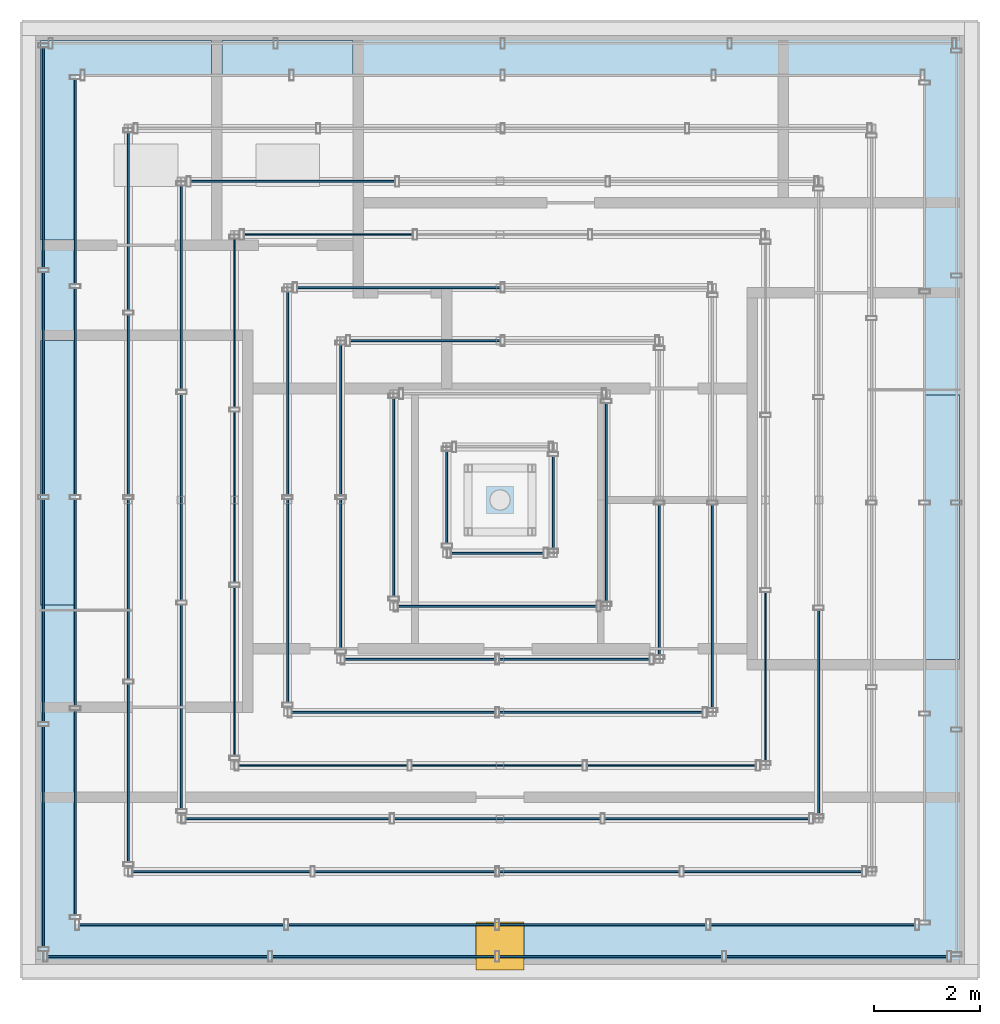
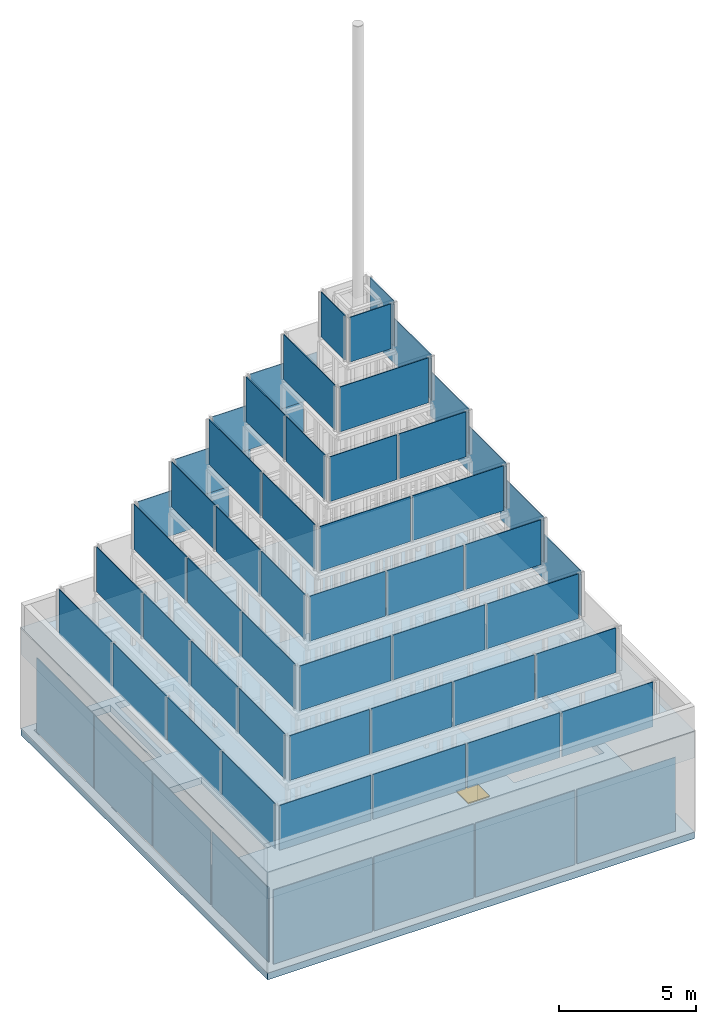
# One storey, part 17 of 24: 58 plates, 2 slabs, 1 door, 1 opening, 28 elements without a shape of their own.
"""IFC4 building model written with IfcOpenShell, lengths in metres."""

from ifc_helpers import new_model, si_unit, direction, frame, origin, origin_2d, place, context, subcontext, project, spatial, polyline, rectangle, outline, extrude, material, layer, layer_set, type_object, element, fill, aggregate, save


model = new_model("IFC4")

# Units and contexts
model_context = context("Model", 3, precision=1e-05, world=origin(), true_north=direction((0.0, 1.0)))
body_context = subcontext(model_context, "Body", "Model", "MODEL_VIEW")
ifc_project = project(units=[si_unit("LENGTHUNIT", "METRE"), si_unit("AREAUNIT", "SQUARE_METRE"), si_unit("VOLUMEUNIT", "CUBIC_METRE"), si_unit("PLANEANGLEUNIT", "RADIAN"), si_unit("MASSUNIT", "GRAM", prefix="KILO")], contexts=[model_context])

# Site, building, storey
site_placement = place(None, origin())
site = spatial("IfcSite", under=ifc_project, at=site_placement, CompositionType="ELEMENT")
building_placement = place(site_placement, origin())
building = spatial("IfcBuilding", under=site, at=building_placement, Name="Altepetl Exchange Towers", CompositionType="ELEMENT")
storey_placement = place(building_placement, frame((0.0, 0.0, 279.10009765625)))
storey = spatial("IfcBuildingStorey", under=building, at=storey_placement, Name="L70 Crown plant", CompositionType="ELEMENT", Elevation=279.10009765625)

# Slab
ifc_material_1 = material(Name="Concrete C40/50", Category="concrete")
ifc_layer_1 = layer(ifc_material_1, 0.300048828125)
ifc_layer_set_1 = layer_set([ifc_layer_1], Name="Concrete C40/50")
slab_type_1 = type_object("IfcSlabType", Name="Core floor slab 300", PredefinedType="FLOOR", material=ifc_layer_set_1)
slab_1_placement = place(storey_placement, frame((0.0, 0.0, -0.300048828125)))
element("IfcSlab", 1, at=slab_1_placement, inside=storey, type_object=slab_type_1, Name="slab:A:L70:core0", PredefinedType="FLOOR", context=body_context, shape_type="SweptSolid", body=[
    extrude(outline(polyline([(40.5, 40.5), (58.5, 40.5), (58.5, 58.5), (40.5, 58.5), (40.5, 40.5)]), holes=[polyline([(54.35009765625, 46.5), (54.35009765625, 51.5791015625), (56.449951171875, 51.5791015625), (56.449951171875, 51.47998046875), (58.14990234375, 51.47998046875), (58.14990234375, 46.5), (54.35009765625, 46.5)]), polyline([(44.64990234375, 52.5), (44.64990234375, 47.4208984375), (42.550048828125, 47.4208984375), (42.550048828125, 47.52001953125), (40.85009765625, 47.52001953125), (40.85009765625, 52.5), (44.64990234375, 52.5)]), polyline([(40.85009765625, 54.39990234375), (40.85009765625, 58.14990234375), (44.06689453125, 58.14990234375), (44.06689453125, 54.39990234375), (40.85009765625, 54.39990234375)]), polyline([(44.26708984375, 54.39990234375), (44.26708984375, 58.14990234375), (46.73291015625, 58.14990234375), (46.73291015625, 54.39990234375), (44.26708984375, 54.39990234375)])]), origin(), (0.0, 0.0, 1.0), 0.300048828125),
])

# Slab, opening, door
ifc_layer_2 = layer(ifc_material_1, 1.199951171875)
ifc_layer_set_2 = layer_set([ifc_layer_2], Name="Concrete C40/50")
slab_type_2 = type_object("IfcSlabType", Name="Crown transfer slab 1200", PredefinedType="ROOF", material=ifc_layer_set_2)
slab_2_placement = place(storey_placement, frame((0.0, 0.0, 3.2998046875)))
slab_2 = element("IfcSlab", 2, at=slab_2_placement, inside=storey, type_object=slab_type_2, Name="slab:A:L70:roof", PredefinedType="ROOF", context=body_context, shape_type="SweptSolid", body=[
    extrude(outline(polyline([(58.5, 40.5), (58.5, 58.5), (40.5, 58.5), (40.5, 40.5), (58.5, 40.5)])), origin(), (0.0, 0.0, 1.0), 1.2001953125),
])
opening_placement = place(slab_2_placement, frame((49.5, 41.10009765625, -0.010009765625)))
opening = element("IfcOpeningElement", 3, at=opening_placement, cuts=slab_2, Name="Opening L70.ARH", PredefinedType="OPENING", context=body_context, shape_type="SweptSolid", body=[
    extrude(rectangle(XDim=0.89990234375, YDim=0.89990234375, at=origin_2d()), origin(), (0.0, 0.0, 1.0), 1.22021484375),
])
ifc_material_2 = material(Name="Aluminium 6063-T6 and insulated panel", Category="aluminium")
door_type = type_object("IfcDoorType", Name="Roof hatch 900x900", OperationType="SINGLE_SWING_LEFT", PredefinedType="TRAPDOOR", material=ifc_material_2)
door_placement = place(opening_placement, frame((0.0, 0.0, 1.16015625)))
door = element("IfcDoor", 4, at=door_placement, inside=storey, type_object=door_type, Name="Roof hatch", OperationType="SINGLE_SWING_LEFT", OverallHeight=0.89990234375, OverallWidth=0.89990234375, PredefinedType="TRAPDOOR", context=body_context, shape_type="SweptSolid", body=[
    extrude(rectangle(XDim=0.89990234375, YDim=0.89990234375, at=origin_2d()), origin(), (0.0, 0.0, 1.0), 0.050048828125),
])
fill(opening, door)

# Curtain wall, plates
ifc_material_3 = material(Name="Aluminium 6063-T6 glazing", Category="aluminium")
curtain_wall_type = type_object("IfcCurtainWallType", Name="Crown glazing system", PredefinedType="NOTDEFINED", material=ifc_material_3)
curtain_wall_1_placement = place(storey_placement, origin())
curtain_wall_1 = element("IfcCurtainWall", 5, at=curtain_wall_1_placement, inside=storey, type_object=curtain_wall_type, Name="CW7 run", PredefinedType="NOTDEFINED")
ifc_material_4 = material(Name="Glass 8-20-8 solar control", Category="glass")
ifc_layer_3 = layer(ifc_material_4, 0.035888671875)
ifc_layer_set_3 = layer_set([ifc_layer_3], Name="Glass 8-20-8 solar control")
plate_type = type_object("IfcPlateType", Name="Glass panel 36 double glazed", PredefinedType="CURTAIN_PANEL", material=ifc_layer_set_3)
plate_1_placement = place(storey_placement, frame((40.89990234375, 55.9423828125, 0.0), z_axis=(0.0, 0.0, 1.0), x_axis=(0.0, -1.0, 0.0)))
plate_1 = element("IfcPlate", 6, at=plate_1_placement, type_object=plate_type, Name="GP2 panel", PredefinedType="CURTAIN_PANEL", context=body_context, shape_type="SweptSolid", body=[
    extrude(rectangle(XDim=4.155029296875, YDim=0.035888671875, at=origin_2d()), origin(), (0.0, 0.0, 1.0), 3.300048828125),
])
plate_2_placement = place(storey_placement, frame((40.89990234375, 51.6875, 0.0), z_axis=(0.0, 0.0, 1.0), x_axis=(0.0, -1.0, 0.0)))
plate_2 = element("IfcPlate", 7, at=plate_2_placement, type_object=plate_type, Name="GP2 panel", PredefinedType="CURTAIN_PANEL", context=body_context, shape_type="SweptSolid", body=[
    extrude(rectangle(XDim=4.195068359375, YDim=0.035888671875, at=origin_2d()), origin(), (0.0, 0.0, 1.0), 3.300048828125),
])
plate_3_placement = place(storey_placement, frame((40.89990234375, 47.41259765625, 0.0), z_axis=(0.0, 0.0, 1.0), x_axis=(0.0, -1.0, 0.0)))
plate_3 = element("IfcPlate", 8, at=plate_3_placement, type_object=plate_type, Name="GP2 panel", PredefinedType="CURTAIN_PANEL", context=body_context, shape_type="SweptSolid", body=[
    extrude(rectangle(XDim=4.195068359375, YDim=0.035888671875, at=origin_2d()), origin(), (0.0, 0.0, 1.0), 3.300048828125),
])
plate_4_placement = place(storey_placement, frame((40.89990234375, 43.157470703125, 0.0), z_axis=(0.0, 0.0, 1.0), x_axis=(0.0, -1.0, 0.0)))
plate_4 = element("IfcPlate", 9, at=plate_4_placement, type_object=plate_type, Name="GP2 panel", PredefinedType="CURTAIN_PANEL", context=body_context, shape_type="SweptSolid", body=[
    extrude(rectangle(XDim=4.155029296875, YDim=0.035888671875, at=origin_2d()), origin(), (0.0, 0.0, 1.0), 3.300048828125),
])
aggregate(curtain_wall_1, [plate_1, plate_2, plate_3, plate_4])

curtain_wall_2_placement = place(storey_placement, origin())
curtain_wall_2 = element("IfcCurtainWall", 10, at=curtain_wall_2_placement, inside=storey, type_object=curtain_wall_type, Name="CW7 run", PredefinedType="NOTDEFINED")
plate_5_placement = place(storey_placement, frame((43.0576171875, 40.89990234375, 0.0)))
plate_5 = element("IfcPlate", 11, at=plate_5_placement, type_object=plate_type, Name="GP2 panel", PredefinedType="CURTAIN_PANEL", context=body_context, shape_type="SweptSolid", body=[
    extrude(rectangle(XDim=4.155029296875, YDim=0.035888671875, at=origin_2d()), origin(), (0.0, 0.0, 1.0), 3.300048828125),
])
plate_6_placement = place(storey_placement, frame((47.3125, 40.89990234375, 0.0)))
plate_6 = element("IfcPlate", 12, at=plate_6_placement, type_object=plate_type, Name="GP2 panel", PredefinedType="CURTAIN_PANEL", context=body_context, shape_type="SweptSolid", body=[
    extrude(rectangle(XDim=4.195068359375, YDim=0.035888671875, at=origin_2d()), origin(), (0.0, 0.0, 1.0), 3.300048828125),
])
plate_7_placement = place(storey_placement, frame((51.58740234375, 40.89990234375, 0.0)))
plate_7 = element("IfcPlate", 13, at=plate_7_placement, type_object=plate_type, Name="GP2 panel", PredefinedType="CURTAIN_PANEL", context=body_context, shape_type="SweptSolid", body=[
    extrude(rectangle(XDim=4.195068359375, YDim=0.035888671875, at=origin_2d()), origin(), (0.0, 0.0, 1.0), 3.300048828125),
])
plate_8_placement = place(storey_placement, frame((55.842529296875, 40.89990234375, 0.0)))
plate_8 = element("IfcPlate", 14, at=plate_8_placement, type_object=plate_type, Name="GP2 panel", PredefinedType="CURTAIN_PANEL", context=body_context, shape_type="SweptSolid", body=[
    extrude(rectangle(XDim=4.155029296875, YDim=0.035888671875, at=origin_2d()), origin(), (0.0, 0.0, 1.0), 3.300048828125),
])
aggregate(curtain_wall_2, [plate_5, plate_6, plate_7, plate_8])

curtain_wall_3_placement = place(storey_placement, origin())
curtain_wall_3 = element("IfcCurtainWall", 15, at=curtain_wall_3_placement, inside=storey, type_object=curtain_wall_type, Name="CW7 run", PredefinedType="NOTDEFINED")
plate_9_placement = place(storey_placement, frame((43.507568359375, 41.5, 4.5)))
plate_9 = element("IfcPlate", 16, at=plate_9_placement, type_object=plate_type, Name="GP2 panel", PredefinedType="CURTAIN_PANEL", context=body_context, shape_type="SweptSolid", body=[
    extrude(rectangle(XDim=3.85498046875, YDim=0.035888671875, at=origin_2d()), origin(), (0.0, 0.0, 1.0), 2.0),
])
plate_10_placement = place(storey_placement, frame((47.46240234375, 41.5, 4.5)))
plate_10 = element("IfcPlate", 17, at=plate_10_placement, type_object=plate_type, Name="GP2 panel", PredefinedType="CURTAIN_PANEL", context=body_context, shape_type="SweptSolid", body=[
    extrude(rectangle(XDim=3.89501953125, YDim=0.035888671875, at=origin_2d()), origin(), (0.0, 0.0, 1.0), 2.0),
])
plate_11_placement = place(storey_placement, frame((51.4375, 41.5, 4.5)))
plate_11 = element("IfcPlate", 18, at=plate_11_placement, type_object=plate_type, Name="GP2 panel", PredefinedType="CURTAIN_PANEL", context=body_context, shape_type="SweptSolid", body=[
    extrude(rectangle(XDim=3.89501953125, YDim=0.035888671875, at=origin_2d()), origin(), (0.0, 0.0, 1.0), 2.0),
])
plate_12_placement = place(storey_placement, frame((55.392578125, 41.5, 4.5)))
plate_12 = element("IfcPlate", 19, at=plate_12_placement, type_object=plate_type, Name="GP2 panel", PredefinedType="CURTAIN_PANEL", context=body_context, shape_type="SweptSolid", body=[
    extrude(rectangle(XDim=3.85498046875, YDim=0.035888671875, at=origin_2d()), origin(), (0.0, 0.0, 1.0), 2.0),
])
aggregate(curtain_wall_3, [plate_9, plate_10, plate_11, plate_12])

curtain_wall_4_placement = place(storey_placement, origin())
curtain_wall_4 = element("IfcCurtainWall", 20, at=curtain_wall_4_placement, inside=storey, type_object=curtain_wall_type, Name="CW7 run", PredefinedType="NOTDEFINED")
plate_13_placement = place(storey_placement, frame((41.5, 55.492431640625, 4.5), z_axis=(0.0, 0.0, 1.0), x_axis=(0.0, -1.0, 0.0)))
plate_13 = element("IfcPlate", 21, at=plate_13_placement, type_object=plate_type, Name="GP2 panel", PredefinedType="CURTAIN_PANEL", context=body_context, shape_type="SweptSolid", body=[
    extrude(rectangle(XDim=3.85498046875, YDim=0.035888671875, at=origin_2d()), origin(), (0.0, 0.0, 1.0), 2.0),
])
plate_14_placement = place(storey_placement, frame((41.5, 51.53759765625, 4.5), z_axis=(0.0, 0.0, 1.0), x_axis=(0.0, -1.0, 0.0)))
plate_14 = element("IfcPlate", 22, at=plate_14_placement, type_object=plate_type, Name="GP2 panel", PredefinedType="CURTAIN_PANEL", context=body_context, shape_type="SweptSolid", body=[
    extrude(rectangle(XDim=3.89501953125, YDim=0.035888671875, at=origin_2d()), origin(), (0.0, 0.0, 1.0), 2.0),
])
plate_15_placement = place(storey_placement, frame((41.5, 47.5625, 4.5), z_axis=(0.0, 0.0, 1.0), x_axis=(0.0, -1.0, 0.0)))
plate_15 = element("IfcPlate", 23, at=plate_15_placement, type_object=plate_type, Name="GP2 panel", PredefinedType="CURTAIN_PANEL", context=body_context, shape_type="SweptSolid", body=[
    extrude(rectangle(XDim=3.89501953125, YDim=0.035888671875, at=origin_2d()), origin(), (0.0, 0.0, 1.0), 2.0),
])
plate_16_placement = place(storey_placement, frame((41.5, 43.607421875, 4.5), z_axis=(0.0, 0.0, 1.0), x_axis=(0.0, -1.0, 0.0)))
plate_16 = element("IfcPlate", 24, at=plate_16_placement, type_object=plate_type, Name="GP2 panel", PredefinedType="CURTAIN_PANEL", context=body_context, shape_type="SweptSolid", body=[
    extrude(rectangle(XDim=3.85498046875, YDim=0.035888671875, at=origin_2d()), origin(), (0.0, 0.0, 1.0), 2.0),
])
aggregate(curtain_wall_4, [plate_13, plate_14, plate_15, plate_16])

curtain_wall_5_placement = place(storey_placement, origin())
curtain_wall_5 = element("IfcCurtainWall", 25, at=curtain_wall_5_placement, inside=storey, type_object=curtain_wall_type, Name="CW7 run", PredefinedType="NOTDEFINED")
plate_17_placement = place(storey_placement, frame((44.257568359375, 42.5, 6.64990234375)))
plate_17 = element("IfcPlate", 26, at=plate_17_placement, type_object=plate_type, Name="GP2 panel", PredefinedType="CURTAIN_PANEL", context=body_context, shape_type="SweptSolid", body=[
    extrude(rectangle(XDim=3.35498046875, YDim=0.035888671875, at=origin_2d()), origin(), (0.0, 0.0, 1.0), 2.0),
])
plate_18_placement = place(storey_placement, frame((47.71240234375, 42.5, 6.64990234375)))
plate_18 = element("IfcPlate", 27, at=plate_18_placement, type_object=plate_type, Name="GP2 panel", PredefinedType="CURTAIN_PANEL", context=body_context, shape_type="SweptSolid", body=[
    extrude(rectangle(XDim=3.39501953125, YDim=0.035888671875, at=origin_2d()), origin(), (0.0, 0.0, 1.0), 2.0),
])
plate_19_placement = place(storey_placement, frame((51.1875, 42.5, 6.64990234375)))
plate_19 = element("IfcPlate", 28, at=plate_19_placement, type_object=plate_type, Name="GP2 panel", PredefinedType="CURTAIN_PANEL", context=body_context, shape_type="SweptSolid", body=[
    extrude(rectangle(XDim=3.39501953125, YDim=0.035888671875, at=origin_2d()), origin(), (0.0, 0.0, 1.0), 2.0),
])
plate_20_placement = place(storey_placement, frame((54.642578125, 42.5, 6.64990234375)))
plate_20 = element("IfcPlate", 29, at=plate_20_placement, type_object=plate_type, Name="GP2 panel", PredefinedType="CURTAIN_PANEL", context=body_context, shape_type="SweptSolid", body=[
    extrude(rectangle(XDim=3.35498046875, YDim=0.035888671875, at=origin_2d()), origin(), (0.0, 0.0, 1.0), 2.0),
])
aggregate(curtain_wall_5, [plate_17, plate_18, plate_19, plate_20])

curtain_wall_6_placement = place(storey_placement, origin())
curtain_wall_6 = element("IfcCurtainWall", 30, at=curtain_wall_6_placement, inside=storey, type_object=curtain_wall_type, Name="CW7 run", PredefinedType="NOTDEFINED")
plate_21_placement = place(storey_placement, frame((42.5, 54.742431640625, 6.64990234375), z_axis=(0.0, 0.0, 1.0), x_axis=(0.0, -1.0, 0.0)))
plate_21 = element("IfcPlate", 31, at=plate_21_placement, type_object=plate_type, Name="GP2 panel", PredefinedType="CURTAIN_PANEL", context=body_context, shape_type="SweptSolid", body=[
    extrude(rectangle(XDim=3.35498046875, YDim=0.035888671875, at=origin_2d()), origin(), (0.0, 0.0, 1.0), 2.0),
])
plate_22_placement = place(storey_placement, frame((42.5, 51.28759765625, 6.64990234375), z_axis=(0.0, 0.0, 1.0), x_axis=(0.0, -1.0, 0.0)))
plate_22 = element("IfcPlate", 32, at=plate_22_placement, type_object=plate_type, Name="GP2 panel", PredefinedType="CURTAIN_PANEL", context=body_context, shape_type="SweptSolid", body=[
    extrude(rectangle(XDim=3.39501953125, YDim=0.035888671875, at=origin_2d()), origin(), (0.0, 0.0, 1.0), 2.0),
])
plate_23_placement = place(storey_placement, frame((42.5, 47.8125, 6.64990234375), z_axis=(0.0, 0.0, 1.0), x_axis=(0.0, -1.0, 0.0)))
plate_23 = element("IfcPlate", 33, at=plate_23_placement, type_object=plate_type, Name="GP2 panel", PredefinedType="CURTAIN_PANEL", context=body_context, shape_type="SweptSolid", body=[
    extrude(rectangle(XDim=3.39501953125, YDim=0.035888671875, at=origin_2d()), origin(), (0.0, 0.0, 1.0), 2.0),
])
plate_24_placement = place(storey_placement, frame((42.5, 44.357421875, 6.64990234375), z_axis=(0.0, 0.0, 1.0), x_axis=(0.0, -1.0, 0.0)))
plate_24 = element("IfcPlate", 34, at=plate_24_placement, type_object=plate_type, Name="GP2 panel", PredefinedType="CURTAIN_PANEL", context=body_context, shape_type="SweptSolid", body=[
    extrude(rectangle(XDim=3.35498046875, YDim=0.035888671875, at=origin_2d()), origin(), (0.0, 0.0, 1.0), 2.0),
])
aggregate(curtain_wall_6, [plate_21, plate_22, plate_23, plate_24])

curtain_wall_7_placement = place(storey_placement, origin())
curtain_wall_7 = element("IfcCurtainWall", 35, at=curtain_wall_7_placement, inside=storey, type_object=curtain_wall_type, Name="CW7 run", PredefinedType="NOTDEFINED")
plate_25_placement = place(storey_placement, frame((45.50341796875, 43.5, 8.7998046875)))
plate_25 = element("IfcPlate", 36, at=plate_25_placement, type_object=plate_type, Name="GP2 panel", PredefinedType="CURTAIN_PANEL", context=body_context, shape_type="SweptSolid", body=[
    extrude(rectangle(XDim=3.8466796875, YDim=0.035888671875, at=origin_2d()), origin(), (0.0, 0.0, 1.0), 2.0),
])
plate_26_placement = place(storey_placement, frame((49.449951171875, 43.5, 8.7998046875)))
plate_26 = element("IfcPlate", 37, at=plate_26_placement, type_object=plate_type, Name="GP2 panel", PredefinedType="CURTAIN_PANEL", context=body_context, shape_type="SweptSolid", body=[
    extrude(rectangle(XDim=3.88671875, YDim=0.035888671875, at=origin_2d()), origin(), (0.0, 0.0, 1.0), 2.0),
])
plate_27_placement = place(storey_placement, frame((53.396728515625, 43.5, 8.7998046875)))
plate_27 = element("IfcPlate", 38, at=plate_27_placement, type_object=plate_type, Name="GP2 panel", PredefinedType="CURTAIN_PANEL", context=body_context, shape_type="SweptSolid", body=[
    extrude(rectangle(XDim=3.8466796875, YDim=0.035888671875, at=origin_2d()), origin(), (0.0, 0.0, 1.0), 2.0),
])
aggregate(curtain_wall_7, [plate_25, plate_26, plate_27])

# Curtain wall, plate
curtain_wall_8_placement = place(storey_placement, origin())
curtain_wall_8 = element("IfcCurtainWall", 39, at=curtain_wall_8_placement, inside=storey, type_object=curtain_wall_type, Name="CW7 run", PredefinedType="NOTDEFINED")
plate_28_placement = place(storey_placement, frame((55.5, 45.50341796875, 8.7998046875), z_axis=(0.0, 0.0, 1.0), x_axis=(0.0, 1.0, 0.0)))
plate_28 = element("IfcPlate", 40, at=plate_28_placement, type_object=plate_type, Name="GP2 panel", PredefinedType="CURTAIN_PANEL", context=body_context, shape_type="SweptSolid", body=[
    extrude(rectangle(XDim=3.8466796875, YDim=0.035888671875, at=origin_2d()), origin(), (0.0, 0.0, 1.0), 2.0),
])
aggregate(curtain_wall_8, [plate_28])

curtain_wall_9_placement = place(storey_placement, origin())
curtain_wall_9 = element("IfcCurtainWall", 41, at=curtain_wall_9_placement, inside=storey, type_object=curtain_wall_type, Name="CW7 run", PredefinedType="NOTDEFINED")
plate_29_placement = place(storey_placement, frame((45.603271484375, 55.5, 8.7998046875), z_axis=(0.0, 0.0, 1.0), x_axis=(-1.0, 0.0, 0.0)))
plate_29 = element("IfcPlate", 42, at=plate_29_placement, type_object=plate_type, Name="GP2 panel", PredefinedType="CURTAIN_PANEL", context=body_context, shape_type="SweptSolid", body=[
    extrude(rectangle(XDim=3.8466796875, YDim=0.035888671875, at=origin_2d()), origin(), (0.0, 0.0, 1.0), 2.0),
])
aggregate(curtain_wall_9, [plate_29])

# Curtain wall, plates
curtain_wall_10_placement = place(storey_placement, origin())
curtain_wall_10 = element("IfcCurtainWall", 43, at=curtain_wall_10_placement, inside=storey, type_object=curtain_wall_type, Name="CW7 run", PredefinedType="NOTDEFINED")
plate_30_placement = place(storey_placement, frame((43.5, 53.49658203125, 8.7998046875), z_axis=(0.0, 0.0, 1.0), x_axis=(0.0, -1.0, 0.0)))
plate_30 = element("IfcPlate", 44, at=plate_30_placement, type_object=plate_type, Name="GP2 panel", PredefinedType="CURTAIN_PANEL", context=body_context, shape_type="SweptSolid", body=[
    extrude(rectangle(XDim=3.8466796875, YDim=0.035888671875, at=origin_2d()), origin(), (0.0, 0.0, 1.0), 2.0),
])
plate_31_placement = place(storey_placement, frame((43.5, 49.550048828125, 8.7998046875), z_axis=(0.0, 0.0, 1.0), x_axis=(0.0, -1.0, 0.0)))
plate_31 = element("IfcPlate", 45, at=plate_31_placement, type_object=plate_type, Name="GP2 panel", PredefinedType="CURTAIN_PANEL", context=body_context, shape_type="SweptSolid", body=[
    extrude(rectangle(XDim=3.88671875, YDim=0.035888671875, at=origin_2d()), origin(), (0.0, 0.0, 1.0), 2.0),
])
plate_32_placement = place(storey_placement, frame((43.5, 45.603271484375, 8.7998046875), z_axis=(0.0, 0.0, 1.0), x_axis=(0.0, -1.0, 0.0)))
plate_32 = element("IfcPlate", 46, at=plate_32_placement, type_object=plate_type, Name="GP2 panel", PredefinedType="CURTAIN_PANEL", context=body_context, shape_type="SweptSolid", body=[
    extrude(rectangle(XDim=3.8466796875, YDim=0.035888671875, at=origin_2d()), origin(), (0.0, 0.0, 1.0), 2.0),
])
aggregate(curtain_wall_10, [plate_30, plate_31, plate_32])

curtain_wall_11_placement = place(storey_placement, origin())
curtain_wall_11 = element("IfcCurtainWall", 47, at=curtain_wall_11_placement, inside=storey, type_object=curtain_wall_type, Name="CW7 run", PredefinedType="NOTDEFINED")
plate_33_placement = place(storey_placement, frame((46.169921875, 44.5, 10.949951171875)))
plate_33 = element("IfcPlate", 48, at=plate_33_placement, type_object=plate_type, Name="GP2 panel", PredefinedType="CURTAIN_PANEL", context=body_context, shape_type="SweptSolid", body=[
    extrude(rectangle(XDim=3.179931640625, YDim=0.035888671875, at=origin_2d()), origin(), (0.0, 0.0, 1.0), 2.0),
])
plate_34_placement = place(storey_placement, frame((49.449951171875, 44.5, 10.949951171875)))
plate_34 = element("IfcPlate", 49, at=plate_34_placement, type_object=plate_type, Name="GP2 panel", PredefinedType="CURTAIN_PANEL", context=body_context, shape_type="SweptSolid", body=[
    extrude(rectangle(XDim=3.219970703125, YDim=0.035888671875, at=origin_2d()), origin(), (0.0, 0.0, 1.0), 2.0),
])
plate_35_placement = place(storey_placement, frame((52.72998046875, 44.5, 10.949951171875)))
plate_35 = element("IfcPlate", 50, at=plate_35_placement, type_object=plate_type, Name="GP2 panel", PredefinedType="CURTAIN_PANEL", context=body_context, shape_type="SweptSolid", body=[
    extrude(rectangle(XDim=3.179931640625, YDim=0.035888671875, at=origin_2d()), origin(), (0.0, 0.0, 1.0), 2.0),
])
aggregate(curtain_wall_11, [plate_33, plate_34, plate_35])

# Curtain wall, plate
curtain_wall_12_placement = place(storey_placement, origin())
curtain_wall_12 = element("IfcCurtainWall", 51, at=curtain_wall_12_placement, inside=storey, type_object=curtain_wall_type, Name="CW7 run", PredefinedType="NOTDEFINED")
plate_36_placement = place(storey_placement, frame((54.5, 46.169921875, 10.949951171875), z_axis=(0.0, 0.0, 1.0), x_axis=(0.0, 1.0, 0.0)))
plate_36 = element("IfcPlate", 52, at=plate_36_placement, type_object=plate_type, Name="GP2 panel", PredefinedType="CURTAIN_PANEL", context=body_context, shape_type="SweptSolid", body=[
    extrude(rectangle(XDim=3.179931640625, YDim=0.035888671875, at=origin_2d()), origin(), (0.0, 0.0, 1.0), 2.0),
])
aggregate(curtain_wall_12, [plate_36])

curtain_wall_13_placement = place(storey_placement, origin())
curtain_wall_13 = element("IfcCurtainWall", 53, at=curtain_wall_13_placement, inside=storey, type_object=curtain_wall_type, Name="CW7 run", PredefinedType="NOTDEFINED")
plate_37_placement = place(storey_placement, frame((46.27001953125, 54.5, 10.949951171875), z_axis=(0.0, 0.0, 1.0), x_axis=(-1.0, 0.0, 0.0)))
plate_37 = element("IfcPlate", 54, at=plate_37_placement, type_object=plate_type, Name="GP2 panel", PredefinedType="CURTAIN_PANEL", context=body_context, shape_type="SweptSolid", body=[
    extrude(rectangle(XDim=3.179931640625, YDim=0.035888671875, at=origin_2d()), origin(), (0.0, 0.0, 1.0), 2.0),
])
aggregate(curtain_wall_13, [plate_37])

# Curtain wall, plates
curtain_wall_14_placement = place(storey_placement, origin())
curtain_wall_14 = element("IfcCurtainWall", 55, at=curtain_wall_14_placement, inside=storey, type_object=curtain_wall_type, Name="CW7 run", PredefinedType="NOTDEFINED")
plate_38_placement = place(storey_placement, frame((44.5, 52.830078125, 10.949951171875), z_axis=(0.0, 0.0, 1.0), x_axis=(0.0, -1.0, 0.0)))
plate_38 = element("IfcPlate", 56, at=plate_38_placement, type_object=plate_type, Name="GP2 panel", PredefinedType="CURTAIN_PANEL", context=body_context, shape_type="SweptSolid", body=[
    extrude(rectangle(XDim=3.179931640625, YDim=0.035888671875, at=origin_2d()), origin(), (0.0, 0.0, 1.0), 2.0),
])
plate_39_placement = place(storey_placement, frame((44.5, 49.550048828125, 10.949951171875), z_axis=(0.0, 0.0, 1.0), x_axis=(0.0, -1.0, 0.0)))
plate_39 = element("IfcPlate", 57, at=plate_39_placement, type_object=plate_type, Name="GP2 panel", PredefinedType="CURTAIN_PANEL", context=body_context, shape_type="SweptSolid", body=[
    extrude(rectangle(XDim=3.219970703125, YDim=0.035888671875, at=origin_2d()), origin(), (0.0, 0.0, 1.0), 2.0),
])
plate_40_placement = place(storey_placement, frame((44.5, 46.27001953125, 10.949951171875), z_axis=(0.0, 0.0, 1.0), x_axis=(0.0, -1.0, 0.0)))
plate_40 = element("IfcPlate", 58, at=plate_40_placement, type_object=plate_type, Name="GP2 panel", PredefinedType="CURTAIN_PANEL", context=body_context, shape_type="SweptSolid", body=[
    extrude(rectangle(XDim=3.179931640625, YDim=0.035888671875, at=origin_2d()), origin(), (0.0, 0.0, 1.0), 2.0),
])
aggregate(curtain_wall_14, [plate_38, plate_39, plate_40])

curtain_wall_15_placement = place(storey_placement, origin())
curtain_wall_15 = element("IfcCurtainWall", 59, at=curtain_wall_15_placement, inside=storey, type_object=curtain_wall_type, Name="CW7 run", PredefinedType="NOTDEFINED")
plate_41_placement = place(storey_placement, frame((47.4951171875, 45.5, 13.099853515625)))
plate_41 = element("IfcPlate", 60, at=plate_41_placement, type_object=plate_type, Name="GP2 panel", PredefinedType="CURTAIN_PANEL", context=body_context, shape_type="SweptSolid", body=[
    extrude(rectangle(XDim=3.830078125, YDim=0.035888671875, at=origin_2d()), origin(), (0.0, 0.0, 1.0), 2.0),
])
plate_42_placement = place(storey_placement, frame((51.405029296875, 45.5, 13.099853515625)))
plate_42 = element("IfcPlate", 61, at=plate_42_placement, type_object=plate_type, Name="GP2 panel", PredefinedType="CURTAIN_PANEL", context=body_context, shape_type="SweptSolid", body=[
    extrude(rectangle(XDim=3.830078125, YDim=0.035888671875, at=origin_2d()), origin(), (0.0, 0.0, 1.0), 2.0),
])
aggregate(curtain_wall_15, [plate_41, plate_42])

# Curtain wall, plate
curtain_wall_16_placement = place(storey_placement, origin())
curtain_wall_16 = element("IfcCurtainWall", 62, at=curtain_wall_16_placement, inside=storey, type_object=curtain_wall_type, Name="CW7 run", PredefinedType="NOTDEFINED")
plate_43_placement = place(storey_placement, frame((53.5, 47.4951171875, 13.099853515625), z_axis=(0.0, 0.0, 1.0), x_axis=(0.0, 1.0, 0.0)))
plate_43 = element("IfcPlate", 63, at=plate_43_placement, type_object=plate_type, Name="GP2 panel", PredefinedType="CURTAIN_PANEL", context=body_context, shape_type="SweptSolid", body=[
    extrude(rectangle(XDim=3.830078125, YDim=0.035888671875, at=origin_2d()), origin(), (0.0, 0.0, 1.0), 2.0),
])
aggregate(curtain_wall_16, [plate_43])

curtain_wall_17_placement = place(storey_placement, origin())
curtain_wall_17 = element("IfcCurtainWall", 64, at=curtain_wall_17_placement, inside=storey, type_object=curtain_wall_type, Name="CW7 run", PredefinedType="NOTDEFINED")
plate_44_placement = place(storey_placement, frame((47.594970703125, 53.5, 13.099853515625), z_axis=(0.0, 0.0, 1.0), x_axis=(-1.0, 0.0, 0.0)))
plate_44 = element("IfcPlate", 65, at=plate_44_placement, type_object=plate_type, Name="GP2 panel", PredefinedType="CURTAIN_PANEL", context=body_context, shape_type="SweptSolid", body=[
    extrude(rectangle(XDim=3.830078125, YDim=0.035888671875, at=origin_2d()), origin(), (0.0, 0.0, 1.0), 2.0),
])
aggregate(curtain_wall_17, [plate_44])

# Curtain wall, plates
curtain_wall_18_placement = place(storey_placement, origin())
curtain_wall_18 = element("IfcCurtainWall", 66, at=curtain_wall_18_placement, inside=storey, type_object=curtain_wall_type, Name="CW7 run", PredefinedType="NOTDEFINED")
plate_45_placement = place(storey_placement, frame((45.5, 51.5048828125, 13.099853515625), z_axis=(0.0, 0.0, 1.0), x_axis=(0.0, -1.0, 0.0)))
plate_45 = element("IfcPlate", 67, at=plate_45_placement, type_object=plate_type, Name="GP2 panel", PredefinedType="CURTAIN_PANEL", context=body_context, shape_type="SweptSolid", body=[
    extrude(rectangle(XDim=3.830078125, YDim=0.035888671875, at=origin_2d()), origin(), (0.0, 0.0, 1.0), 2.0),
])
plate_46_placement = place(storey_placement, frame((45.5, 47.594970703125, 13.099853515625), z_axis=(0.0, 0.0, 1.0), x_axis=(0.0, -1.0, 0.0)))
plate_46 = element("IfcPlate", 68, at=plate_46_placement, type_object=plate_type, Name="GP2 panel", PredefinedType="CURTAIN_PANEL", context=body_context, shape_type="SweptSolid", body=[
    extrude(rectangle(XDim=3.830078125, YDim=0.035888671875, at=origin_2d()), origin(), (0.0, 0.0, 1.0), 2.0),
])
aggregate(curtain_wall_18, [plate_45, plate_46])

curtain_wall_19_placement = place(storey_placement, origin())
curtain_wall_19 = element("IfcCurtainWall", 69, at=curtain_wall_19_placement, inside=storey, type_object=curtain_wall_type, Name="CW7 run", PredefinedType="NOTDEFINED")
plate_47_placement = place(storey_placement, frame((47.9951171875, 46.5, 15.25)))
plate_47 = element("IfcPlate", 70, at=plate_47_placement, type_object=plate_type, Name="GP2 panel", PredefinedType="CURTAIN_PANEL", context=body_context, shape_type="SweptSolid", body=[
    extrude(rectangle(XDim=2.830078125, YDim=0.035888671875, at=origin_2d()), origin(), (0.0, 0.0, 1.0), 2.0),
])
plate_48_placement = place(storey_placement, frame((50.905029296875, 46.5, 15.25)))
plate_48 = element("IfcPlate", 71, at=plate_48_placement, type_object=plate_type, Name="GP2 panel", PredefinedType="CURTAIN_PANEL", context=body_context, shape_type="SweptSolid", body=[
    extrude(rectangle(XDim=2.830078125, YDim=0.035888671875, at=origin_2d()), origin(), (0.0, 0.0, 1.0), 2.0),
])
aggregate(curtain_wall_19, [plate_47, plate_48])

# Curtain wall, plate
curtain_wall_20_placement = place(storey_placement, origin())
curtain_wall_20 = element("IfcCurtainWall", 72, at=curtain_wall_20_placement, inside=storey, type_object=curtain_wall_type, Name="CW7 run", PredefinedType="NOTDEFINED")
plate_49_placement = place(storey_placement, frame((52.5, 47.9951171875, 15.25), z_axis=(0.0, 0.0, 1.0), x_axis=(0.0, 1.0, 0.0)))
plate_49 = element("IfcPlate", 73, at=plate_49_placement, type_object=plate_type, Name="GP2 panel", PredefinedType="CURTAIN_PANEL", context=body_context, shape_type="SweptSolid", body=[
    extrude(rectangle(XDim=2.830078125, YDim=0.035888671875, at=origin_2d()), origin(), (0.0, 0.0, 1.0), 2.0),
])
aggregate(curtain_wall_20, [plate_49])

curtain_wall_21_placement = place(storey_placement, origin())
curtain_wall_21 = element("IfcCurtainWall", 74, at=curtain_wall_21_placement, inside=storey, type_object=curtain_wall_type, Name="CW7 run", PredefinedType="NOTDEFINED")
plate_50_placement = place(storey_placement, frame((48.094970703125, 52.5, 15.25), z_axis=(0.0, 0.0, 1.0), x_axis=(-1.0, 0.0, 0.0)))
plate_50 = element("IfcPlate", 75, at=plate_50_placement, type_object=plate_type, Name="GP2 panel", PredefinedType="CURTAIN_PANEL", context=body_context, shape_type="SweptSolid", body=[
    extrude(rectangle(XDim=2.830078125, YDim=0.035888671875, at=origin_2d()), origin(), (0.0, 0.0, 1.0), 2.0),
])
aggregate(curtain_wall_21, [plate_50])

# Curtain wall, plates
curtain_wall_22_placement = place(storey_placement, origin())
curtain_wall_22 = element("IfcCurtainWall", 76, at=curtain_wall_22_placement, inside=storey, type_object=curtain_wall_type, Name="CW7 run", PredefinedType="NOTDEFINED")
plate_51_placement = place(storey_placement, frame((46.5, 51.0048828125, 15.25), z_axis=(0.0, 0.0, 1.0), x_axis=(0.0, -1.0, 0.0)))
plate_51 = element("IfcPlate", 77, at=plate_51_placement, type_object=plate_type, Name="GP2 panel", PredefinedType="CURTAIN_PANEL", context=body_context, shape_type="SweptSolid", body=[
    extrude(rectangle(XDim=2.830078125, YDim=0.035888671875, at=origin_2d()), origin(), (0.0, 0.0, 1.0), 2.0),
])
plate_52_placement = place(storey_placement, frame((46.5, 48.094970703125, 15.25), z_axis=(0.0, 0.0, 1.0), x_axis=(0.0, -1.0, 0.0)))
plate_52 = element("IfcPlate", 78, at=plate_52_placement, type_object=plate_type, Name="GP2 panel", PredefinedType="CURTAIN_PANEL", context=body_context, shape_type="SweptSolid", body=[
    extrude(rectangle(XDim=2.830078125, YDim=0.035888671875, at=origin_2d()), origin(), (0.0, 0.0, 1.0), 2.0),
])
aggregate(curtain_wall_22, [plate_51, plate_52])

# Curtain wall, plate
curtain_wall_23_placement = place(storey_placement, origin())
curtain_wall_23 = element("IfcCurtainWall", 79, at=curtain_wall_23_placement, inside=storey, type_object=curtain_wall_type, Name="CW7 run", PredefinedType="NOTDEFINED")
plate_53_placement = place(storey_placement, frame((49.449951171875, 47.5, 17.39990234375)))
plate_53 = element("IfcPlate", 80, at=plate_53_placement, type_object=plate_type, Name="GP2 panel", PredefinedType="CURTAIN_PANEL", context=body_context, shape_type="SweptSolid", body=[
    extrude(rectangle(XDim=3.739990234375, YDim=0.035888671875, at=origin_2d()), origin(), (0.0, 0.0, 1.0), 2.0),
])
aggregate(curtain_wall_23, [plate_53])

curtain_wall_24_placement = place(storey_placement, origin())
curtain_wall_24 = element("IfcCurtainWall", 81, at=curtain_wall_24_placement, inside=storey, type_object=curtain_wall_type, Name="CW7 run", PredefinedType="NOTDEFINED")
plate_54_placement = place(storey_placement, frame((51.5, 49.449951171875, 17.39990234375), z_axis=(0.0, 0.0, 1.0), x_axis=(0.0, 1.0, 0.0)))
plate_54 = element("IfcPlate", 82, at=plate_54_placement, type_object=plate_type, Name="GP2 panel", PredefinedType="CURTAIN_PANEL", context=body_context, shape_type="SweptSolid", body=[
    extrude(rectangle(XDim=3.739990234375, YDim=0.035888671875, at=origin_2d()), origin(), (0.0, 0.0, 1.0), 2.0),
])
aggregate(curtain_wall_24, [plate_54])

curtain_wall_25_placement = place(storey_placement, origin())
curtain_wall_25 = element("IfcCurtainWall", 83, at=curtain_wall_25_placement, inside=storey, type_object=curtain_wall_type, Name="CW7 run", PredefinedType="NOTDEFINED")
plate_55_placement = place(storey_placement, frame((47.5, 49.550048828125, 17.39990234375), z_axis=(0.0, 0.0, 1.0), x_axis=(0.0, -1.0, 0.0)))
plate_55 = element("IfcPlate", 84, at=plate_55_placement, type_object=plate_type, Name="GP2 panel", PredefinedType="CURTAIN_PANEL", context=body_context, shape_type="SweptSolid", body=[
    extrude(rectangle(XDim=3.739990234375, YDim=0.035888671875, at=origin_2d()), origin(), (0.0, 0.0, 1.0), 2.0),
])
aggregate(curtain_wall_25, [plate_55])

curtain_wall_26_placement = place(storey_placement, origin())
curtain_wall_26 = element("IfcCurtainWall", 85, at=curtain_wall_26_placement, inside=storey, type_object=curtain_wall_type, Name="CW7 run", PredefinedType="NOTDEFINED")
plate_56_placement = place(storey_placement, frame((49.449951171875, 48.5, 19.5498046875)))
plate_56 = element("IfcPlate", 86, at=plate_56_placement, type_object=plate_type, Name="GP2 panel", PredefinedType="CURTAIN_PANEL", context=body_context, shape_type="SweptSolid", body=[
    extrude(rectangle(XDim=1.739990234375, YDim=0.035888671875, at=origin_2d()), origin(), (0.0, 0.0, 1.0), 2.0),
])
aggregate(curtain_wall_26, [plate_56])

curtain_wall_27_placement = place(storey_placement, origin())
curtain_wall_27 = element("IfcCurtainWall", 87, at=curtain_wall_27_placement, inside=storey, type_object=curtain_wall_type, Name="CW7 run", PredefinedType="NOTDEFINED")
plate_57_placement = place(storey_placement, frame((50.5, 49.449951171875, 19.5498046875), z_axis=(0.0, 0.0, 1.0), x_axis=(0.0, 1.0, 0.0)))
plate_57 = element("IfcPlate", 88, at=plate_57_placement, type_object=plate_type, Name="GP2 panel", PredefinedType="CURTAIN_PANEL", context=body_context, shape_type="SweptSolid", body=[
    extrude(rectangle(XDim=1.739990234375, YDim=0.035888671875, at=origin_2d()), origin(), (0.0, 0.0, 1.0), 2.0),
])
aggregate(curtain_wall_27, [plate_57])

curtain_wall_28_placement = place(storey_placement, origin())
curtain_wall_28 = element("IfcCurtainWall", 89, at=curtain_wall_28_placement, inside=storey, type_object=curtain_wall_type, Name="CW7 run", PredefinedType="NOTDEFINED")
plate_58_placement = place(storey_placement, frame((48.5, 49.550048828125, 19.5498046875), z_axis=(0.0, 0.0, 1.0), x_axis=(0.0, -1.0, 0.0)))
plate_58 = element("IfcPlate", 90, at=plate_58_placement, type_object=plate_type, Name="GP2 panel", PredefinedType="CURTAIN_PANEL", context=body_context, shape_type="SweptSolid", body=[
    extrude(rectangle(XDim=1.739990234375, YDim=0.035888671875, at=origin_2d()), origin(), (0.0, 0.0, 1.0), 2.0),
])
aggregate(curtain_wall_28, [plate_58])

save(model, "model.ifc")
